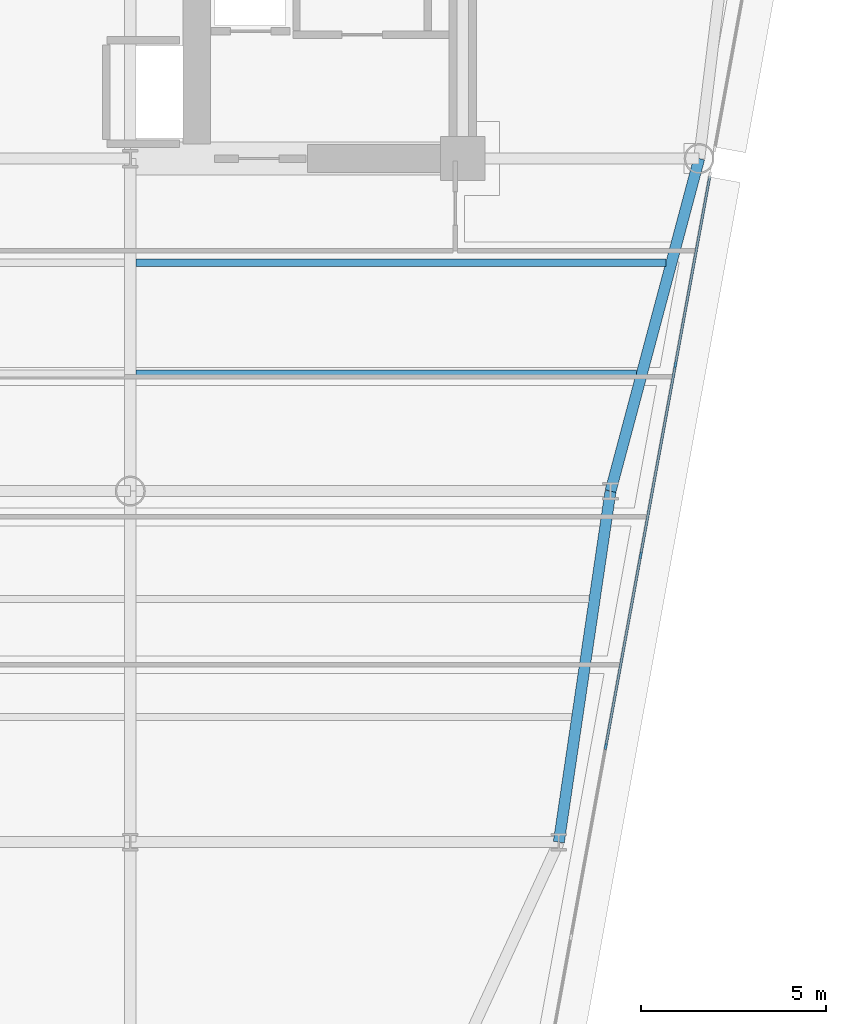
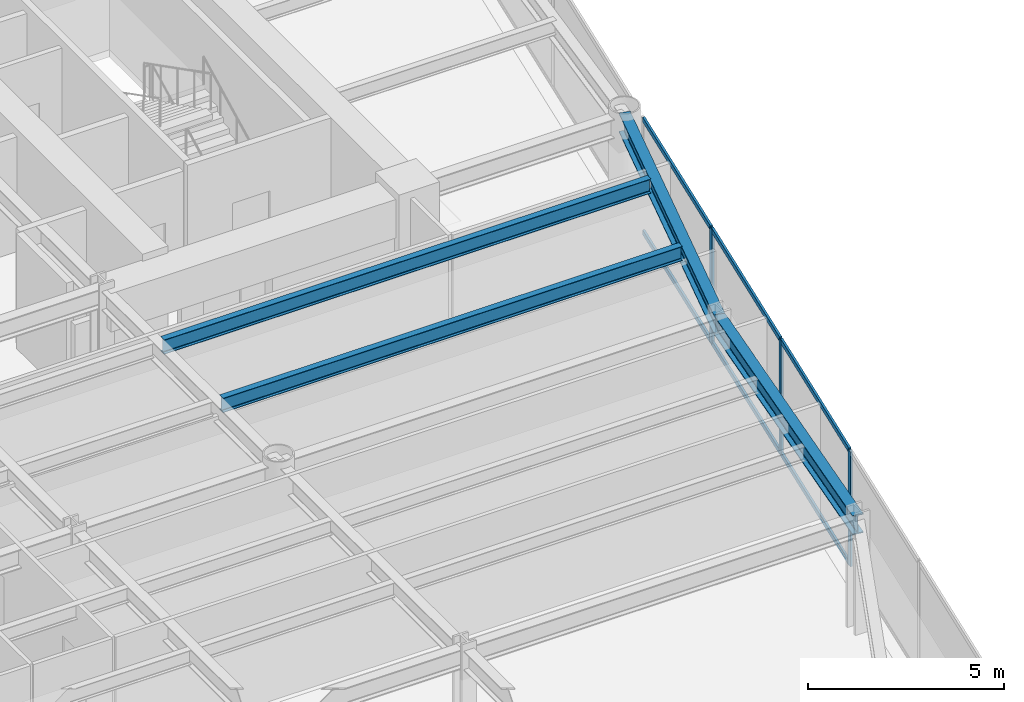
# One storey, part 6 of 17: 9 members, 4 beams, 1 element without a shape of its own.
"""IFC4 building model written with IfcOpenShell, lengths in metres."""

from ifc_helpers import new_model, si_unit, direction, frame, origin, origin_2d, place, context, subcontext, project, spatial, rectangle, i_section, extrude, source, transform, mapped, material, layer, layer_set, material_profile, profile_set, type_object, element, aggregate, save


model = new_model("IFC4")

# Units and contexts
model_context = context("Model", 3, precision=1e-05, world=origin(), true_north=direction((0.0, 1.0)))
body_context = subcontext(model_context, "Body", "Model", "MODEL_VIEW")
ifc_project = project(units=[si_unit("LENGTHUNIT", "METRE"), si_unit("AREAUNIT", "SQUARE_METRE"), si_unit("VOLUMEUNIT", "CUBIC_METRE"), si_unit("PLANEANGLEUNIT", "RADIAN"), si_unit("MASSUNIT", "GRAM", prefix="KILO")], contexts=[model_context])

# Site, building, storey
site_placement = place(None, origin())
site = spatial("IfcSite", under=ifc_project, at=site_placement, CompositionType="ELEMENT")
building_placement = place(site_placement, origin())
building = spatial("IfcBuilding", under=site, at=building_placement, Name="Vaeldorn Concourse Tower", CompositionType="ELEMENT")
storey_placement = place(building_placement, frame((0.0, 0.0, 157.60009765625)))
storey = spatial("IfcBuildingStorey", under=building, at=storey_placement, Name="L40", CompositionType="ELEMENT", Elevation=157.60009765625)

# Beams
ifc_material_1 = material(Name="Steel S355", Category="steel")
ifc_material_profile_1 = material_profile(ifc_material_1, i_section(OverallWidth=0.18994140625, OverallDepth=0.449951171875, WebThickness=0.009521484375, FlangeThickness=0.0146484375, FilletRadius=0.02099609375, at=origin_2d()), Name="IPE 450")
ifc_profile_set_1 = profile_set([ifc_material_profile_1], Name="Steel S355")
beam_type_1 = type_object("IfcBeamType", Name="BM-JS-IPE450", PredefinedType="JOIST", material=ifc_profile_set_1)
shared_shape_1 = source(origin(), body_context, "Body", "SweptSolid", [
    extrude(i_section(OverallWidth=0.18994140625, OverallDepth=0.449951171875, WebThickness=0.009521484375, FlangeThickness=0.0146484375, FilletRadius=0.02099609375, at=origin_2d()), origin(), (0.0, 0.0, 1.0), 13.548095703125),
])
beam_1_placement = place(storey_placement, frame((45.14990234375, 30.679931640625, 3.35498046875), z_axis=(1.0, 0.0, 0.0), x_axis=(0.0, 1.0, 0.0)))
element("IfcBeam", 1, at=beam_1_placement, inside=storey, type_object=beam_type_1, Name="Beam JS-L40-E1-306", PredefinedType="JOIST", context=body_context, shape_type="MappedRepresentation", body=[
    mapped(shared_shape_1, transform((0.0, 0.0, 0.0), scale=1.0)),
])
shared_shape_2 = source(origin(), body_context, "Body", "SweptSolid", [
    extrude(i_section(OverallWidth=0.18994140625, OverallDepth=0.449951171875, WebThickness=0.009521484375, FlangeThickness=0.0146484375, FilletRadius=0.02099609375, at=origin_2d()), origin(), (0.0, 0.0, 1.0), 14.34814453125),
])
beam_2_placement = place(storey_placement, frame((45.14990234375, 33.679931640625, 3.35498046875), z_axis=(1.0, 0.0, 0.0), x_axis=(0.0, 1.0, 0.0)))
element("IfcBeam", 2, at=beam_2_placement, inside=storey, type_object=beam_type_1, Name="Beam JS-L40-E1-336", PredefinedType="JOIST", context=body_context, shape_type="MappedRepresentation", body=[
    mapped(shared_shape_2, transform((0.0, 0.0, 0.0), scale=1.0)),
])
ifc_material_profile_2 = material_profile(ifc_material_1, i_section(OverallWidth=0.300048828125, OverallDepth=0.60009765625, WebThickness=0.015380859375, FlangeThickness=0.030029296875, FilletRadius=0.027099609375, at=origin_2d()), Name="HEB 600")
ifc_profile_set_2 = profile_set([ifc_material_profile_2], Name="Steel S355")
beam_type_2 = type_object("IfcBeamType", Name="BM-PG-HEB600", PredefinedType="BEAM", material=ifc_profile_set_2)
shared_shape_3 = source(origin(), body_context, "Body", "SweptSolid", [
    extrude(i_section(OverallWidth=0.300048828125, OverallDepth=0.60009765625, WebThickness=0.015380859375, FlangeThickness=0.030029296875, FilletRadius=0.027099609375, at=origin_2d()), origin(), (0.0, 0.0, 1.0), 9.314453125),
])
beam_3_placement = place(storey_placement, frame((60.39990234375, 36.5, 3.27978515625), z_axis=(-0.257652862255, -0.966237549763, 0.0), x_axis=(0.966237549763, -0.257652862255, 0.0)))
element("IfcBeam", 3, at=beam_3_placement, inside=storey, type_object=beam_type_2, Name="Beam BM-L40-C-NE2-C-FLE1", PredefinedType="BEAM", context=body_context, shape_type="MappedRepresentation", body=[
    mapped(shared_shape_3, transform((0.0, 0.0, 0.0), scale=1.0)),
])
shared_shape_4 = source(origin(), body_context, "Body", "SweptSolid", [
    extrude(i_section(OverallWidth=0.300048828125, OverallDepth=0.60009765625, WebThickness=0.015380859375, FlangeThickness=0.030029296875, FilletRadius=0.027099609375, at=origin_2d()), origin(), (0.0, 0.0, 1.0), 9.6025390625),
])
beam_4_placement = place(storey_placement, frame((58.0, 27.5, 3.27978515625), z_axis=(-0.145783835977, -0.989316467652, 0.0), x_axis=(0.989316467652, -0.145783835977, 0.0)))
element("IfcBeam", 4, at=beam_4_placement, inside=storey, type_object=beam_type_2, Name="Beam BM-L40-C-FLE1-C-FLE2", PredefinedType="BEAM", context=body_context, shape_type="MappedRepresentation", body=[
    mapped(shared_shape_4, transform((0.0, 0.0, 0.0), scale=1.0)),
])

# Curtain wall, members
ifc_material_2 = material(Name="Anodised Bronze Aluminium", Category="aluminium")
ifc_layer = layer(ifc_material_2, 0.18994140625)
ifc_layer_set = layer_set([ifc_layer], Name="Anodised Bronze Aluminium")
curtain_wall_type = type_object("IfcCurtainWallType", Name="CW-SYS-03", PredefinedType="NOTDEFINED", material=ifc_layer_set)
curtain_wall_placement = place(storey_placement, origin())
curtain_wall = element("IfcCurtainWall", 5, at=curtain_wall_placement, inside=storey, type_object=curtain_wall_type, Name="Unitised Curtain Wall CW-L40-E07-1", PredefinedType="NOTDEFINED")
ifc_material_profile_3 = material_profile(ifc_material_2, rectangle(XDim=0.06494140625, YDim=0.169921875, at=origin_2d()), Name="CWM 65x170")
ifc_profile_set_3 = profile_set([ifc_material_profile_3], Name="Anodised Bronze Aluminium")
member_type_1 = type_object("IfcMemberType", Name="CWM-BRONZE-170", PredefinedType="MULLION", material=ifc_profile_set_3)
shared_shape_5 = source(origin(), body_context, "Body", "SweptSolid", [
    extrude(rectangle(XDim=0.06494140625, YDim=0.169921875, at=origin_2d()), origin(), (0.0, 0.0, 1.0), 3.579833984375),
])
member_1_placement = place(storey_placement, frame((57.872802734375, 20.591796875, 0.0), z_axis=(0.0, 0.0, 1.0), x_axis=(-0.983767841325, 0.179445909331, 0.0)))
member_1 = element("IfcMember", 6, at=member_1_placement, type_object=member_type_1, Name="CW-03 mullion 4", PredefinedType="MULLION", context=body_context, shape_type="MappedRepresentation", body=[
    mapped(shared_shape_5, transform((0.0, 0.0, 0.0), scale=1.0)),
])
member_2_placement = place(storey_placement, frame((58.814697265625, 25.755615234375, 0.0), z_axis=(0.0, 0.0, 1.0), x_axis=(-0.983767841325, 0.179445909331, 0.0)))
member_2 = element("IfcMember", 7, at=member_2_placement, type_object=member_type_1, Name="CW-03 mullion 5", PredefinedType="MULLION", context=body_context, shape_type="MappedRepresentation", body=[
    mapped(shared_shape_5, transform((0.0, 0.0, 0.0), scale=1.0)),
])
member_3_placement = place(storey_placement, frame((59.756591796875, 30.919677734375, 0.0), z_axis=(0.0, 0.0, 1.0), x_axis=(-0.983767841325, 0.179445909331, 0.0)))
member_3 = element("IfcMember", 8, at=member_3_placement, type_object=member_type_1, Name="CW-03 mullion 6", PredefinedType="MULLION", context=body_context, shape_type="MappedRepresentation", body=[
    mapped(shared_shape_5, transform((0.0, 0.0, 0.0), scale=1.0)),
])
ifc_material_profile_4 = material_profile(ifc_material_2, rectangle(XDim=0.06494140625, YDim=0.14990234375, at=origin_2d()), Name="CWT 65x150")
ifc_profile_set_4 = profile_set([ifc_material_profile_4], Name="Anodised Bronze Aluminium")
member_type_2 = type_object("IfcMemberType", Name="CWT-BRONZE-150", PredefinedType="USERDEFINED", material=ifc_profile_set_4)
shared_shape_6 = source(origin(), body_context, "Body", "SweptSolid", [
    extrude(rectangle(XDim=0.06494140625, YDim=0.14990234375, at=origin_2d()), origin(), (0.0, 0.0, 1.0), 5.151611328125),
])
member_4_placement = place(storey_placement, frame((59.762451171875, 30.95166015625, 0.032470703125), z_axis=(0.179473445995, 0.983762818053, 0.0), x_axis=(-0.983762818053, 0.179473445995, 0.0)))
member_4 = element("IfcMember", 9, at=member_4_placement, type_object=member_type_2, Name="CW-03 transom 6.1", ObjectType="TRANSOM", PredefinedType="USERDEFINED", context=body_context, shape_type="MappedRepresentation", body=[
    mapped(shared_shape_6, transform((0.0, 0.0, 0.0), scale=1.0)),
])
member_5_placement = place(storey_placement, frame((59.762451171875, 30.95166015625, 3.54736328125), z_axis=(0.179473445995, 0.983762818053, 0.0), x_axis=(-0.983762818053, 0.179473445995, 0.0)))
member_5 = element("IfcMember", 10, at=member_5_placement, type_object=member_type_2, Name="CW-03 transom 6.2", ObjectType="TRANSOM", PredefinedType="USERDEFINED", context=body_context, shape_type="MappedRepresentation", body=[
    mapped(shared_shape_6, transform((0.0, 0.0, 0.0), scale=1.0)),
])
shared_shape_7 = source(origin(), body_context, "Body", "SweptSolid", [
    extrude(rectangle(XDim=0.06494140625, YDim=0.14990234375, at=origin_2d()), origin(), (0.0, 0.0, 1.0), 5.18408203125),
])
member_6_placement = place(storey_placement, frame((57.878662109375, 20.623779296875, 0.032470703125), z_axis=(0.179432467646, 0.983770293084, 0.0), x_axis=(-0.983770293084, 0.179432467646, 0.0)))
member_6 = element("IfcMember", 11, at=member_6_placement, type_object=member_type_2, Name="CW-03 transom 4.1", ObjectType="TRANSOM", PredefinedType="USERDEFINED", context=body_context, shape_type="MappedRepresentation", body=[
    mapped(shared_shape_7, transform((0.0, 0.0, 0.0), scale=1.0)),
])
member_7_placement = place(storey_placement, frame((57.878662109375, 20.623779296875, 3.54736328125), z_axis=(0.179432467646, 0.983770293084, 0.0), x_axis=(-0.983770293084, 0.179432467646, 0.0)))
member_7 = element("IfcMember", 12, at=member_7_placement, type_object=member_type_2, Name="CW-03 transom 4.2", ObjectType="TRANSOM", PredefinedType="USERDEFINED", context=body_context, shape_type="MappedRepresentation", body=[
    mapped(shared_shape_7, transform((0.0, 0.0, 0.0), scale=1.0)),
])
shared_shape_8 = source(origin(), body_context, "Body", "SweptSolid", [
    extrude(rectangle(XDim=0.06494140625, YDim=0.14990234375, at=origin_2d()), origin(), (0.0, 0.0, 1.0), 5.184326171875),
])
member_8_placement = place(storey_placement, frame((58.820556640625, 25.78759765625, 0.032470703125), z_axis=(0.179424154775, 0.983771809254, 0.0), x_axis=(-0.983771809254, 0.179424154775, 0.0)))
member_8 = element("IfcMember", 13, at=member_8_placement, type_object=member_type_2, Name="CW-03 transom 5.1", ObjectType="TRANSOM", PredefinedType="USERDEFINED", context=body_context, shape_type="MappedRepresentation", body=[
    mapped(shared_shape_8, transform((0.0, 0.0, 0.0), scale=1.0)),
])
member_9_placement = place(storey_placement, frame((58.820556640625, 25.78759765625, 3.54736328125), z_axis=(0.179424154775, 0.983771809254, 0.0), x_axis=(-0.983771809254, 0.179424154775, 0.0)))
member_9 = element("IfcMember", 14, at=member_9_placement, type_object=member_type_2, Name="CW-03 transom 5.2", ObjectType="TRANSOM", PredefinedType="USERDEFINED", context=body_context, shape_type="MappedRepresentation", body=[
    mapped(shared_shape_8, transform((0.0, 0.0, 0.0), scale=1.0)),
])
aggregate(curtain_wall, [member_1, member_2, member_3, member_6, member_7, member_8, member_9, member_4, member_5])

save(model, "model.ifc")
